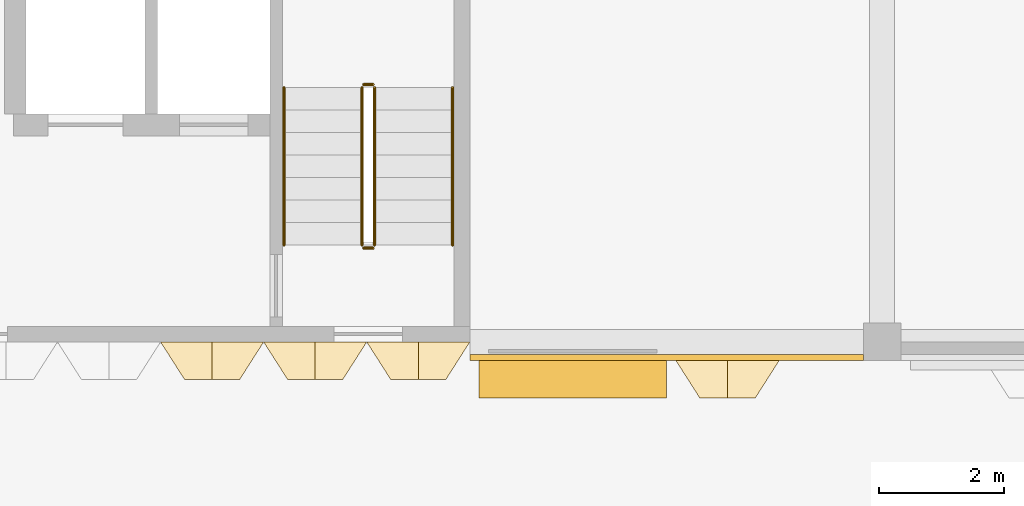
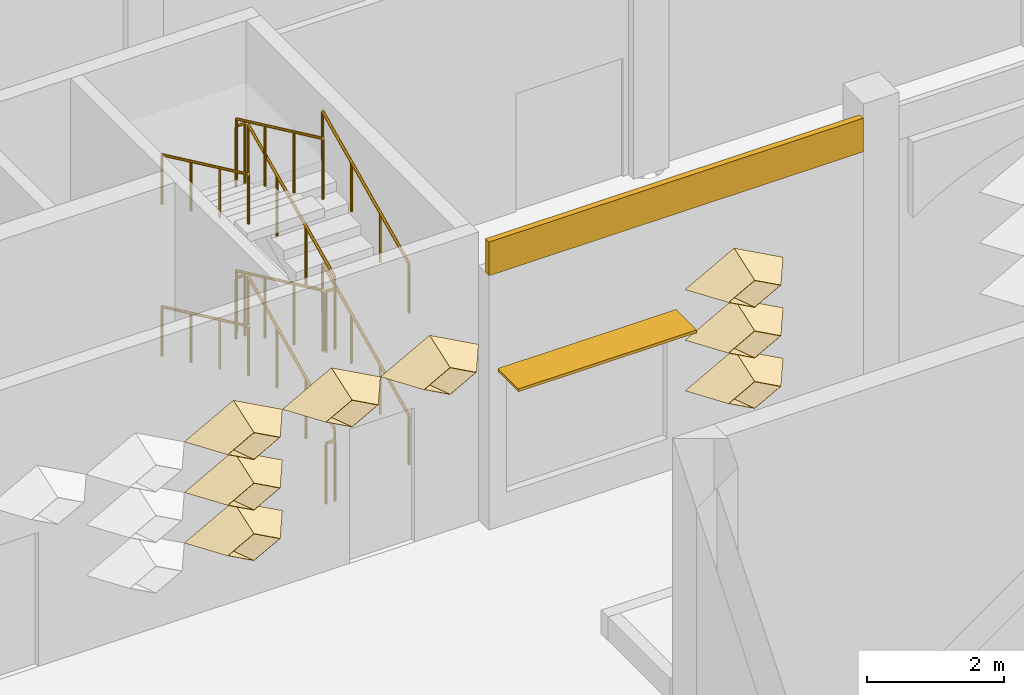
# One storey, part 72 of 85: 12 railings, 9 coverings, 1 shading device.
"""IFC4 building model written with IfcOpenShell, lengths in metres."""

from ifc_helpers import new_model, entity, si_unit, direction, frame, frame_2d, origin, origin_2d, place, context, subcontext, project, spatial, rectangle, circle, extrude, material, layer, layer_set, type_object, element, save


model = new_model("IFC4")

# Units and contexts
model_context = context("Model", 3, precision=1e-05, world=origin(), true_north=direction((0.0, 1.0)))
body_context = subcontext(model_context, "Body", "Model", "MODEL_VIEW")
ifc_project = project(units=[si_unit("LENGTHUNIT", "METRE"), si_unit("AREAUNIT", "SQUARE_METRE"), si_unit("VOLUMEUNIT", "CUBIC_METRE"), si_unit("PLANEANGLEUNIT", "RADIAN"), si_unit("MASSUNIT", "GRAM", prefix="KILO")], contexts=[model_context])

# Site, building, storey
site_placement = place(None, origin())
site = spatial("IfcSite", under=ifc_project, at=site_placement, CompositionType="ELEMENT")
building_placement = place(site_placement, origin())
building = spatial("IfcBuilding", under=site, at=building_placement, Name="Lantern Court Research Institute", CompositionType="ELEMENT")
storey_placement = place(building_placement, origin())
storey = spatial("IfcBuildingStorey", under=building, at=storey_placement, Name="L00", CompositionType="ELEMENT", Elevation=0.0)

# Shading device
ifc_material_1 = material(Name="Aluminium alloy 6063-T6", Category="aluminium")
ifc_layer_1 = layer(ifc_material_1, 0.050048828125)
ifc_layer_set_1 = layer_set([ifc_layer_1], Name="Aluminium alloy 6063-T6")
shading_device_type = type_object("IfcShadingDeviceType", Name="Brise-soleil blade 3000 x 600 x 50 aluminium", PredefinedType="USERDEFINED", material=ifc_layer_set_1)
shading_device_placement = place(storey_placement, frame((54.449951171875, 81.89990234375, 2.7998046875), z_axis=(0.0, 0.0, 1.0), x_axis=(-1.0, 0.0, 0.0)))
element("IfcShadingDevice", 1, at=shading_device_placement, inside=storey, type_object=shading_device_type, Name="Brise-soleil blade L00 S", ObjectType="LOUVRE", PredefinedType="USERDEFINED", context=body_context, shape_type="SweptSolid", body=[
    extrude(rectangle(XDim=3.0, YDim=0.60009765625, at=origin_2d()), origin(), (0.0, 0.0, 1.0), 0.050048828125),
])

# Coverings
ifc_material_2 = material(Name="Aluminium composite panel with mineral wool insulation", Category="aluminium")
ifc_layer_2 = layer(ifc_material_2, 0.10009765625)
ifc_layer_set_2 = layer_set([ifc_layer_2], Name="Aluminium composite panel with mineral wool insulation")
covering_type_1 = type_object("IfcCoveringType", Name="Edge fascia panel 100 aluminium faced", PredefinedType="CLADDING", material=ifc_layer_set_2)
covering_1_placement = place(storey_placement, frame((59.10009765625, 82.25, 4.550048828125), z_axis=(0.0, 0.0, 1.0), x_axis=(-1.0, 0.0, 0.0)))
element("IfcCovering", 2, at=covering_1_placement, inside=storey, type_object=covering_type_1, Name="Edge fascia V6S L00 07", PredefinedType="CLADDING", context=body_context, shape_type="SweptSolid", body=[
    extrude(rectangle(XDim=6.300048828125, YDim=0.10009765625, at=frame_2d((3.14990234375, 0.0))), origin(), (0.0, 0.0, 1.0), 0.599853515625),
])
ifc_material_3 = material(Name="Anodised aluminium", Category="aluminium")
ifc_layer_3 = layer(ifc_material_3, 0.01611328125)
ifc_layer_set_3 = layer_set([ifc_layer_3], Name="Anodised aluminium")
covering_type_2 = type_object("IfcCoveringType", Name="Fin cassette 1650 x 900 x 600 aluminium", PredefinedType="CLADDING", material=ifc_layer_set_3)
covering_2_placement = place(storey_placement, frame((48.675048828125, 82.5, 1.35009765625), z_axis=(0.0, -1.0, 0.0), x_axis=(1.0, 0.0, 0.0)))
cartesian_point_1 = entity("IfcCartesianPoint", [0.824951171875, 0.0])
cartesian_point_2 = entity("IfcCartesianPoint", [0.79150390625, 0.0])
cartesian_point_3 = entity("IfcCartesianPoint", [0.44189453125, 0.0])
cartesian_point_4 = entity("IfcCartesianPoint", [0.43359375, 0.0])
element("IfcCovering", 3, at=covering_2_placement, inside=storey, type_object=covering_type_2, Name="Fin cassette V6S-L00 2.30", PredefinedType="CLADDING", context=body_context, shape_type="SweptSolid", body=[
    entity("IfcExtrudedAreaSolidTapered", entity("IfcArbitraryProfileDefWithVoids", "AREA", None, entity("IfcPolyline", [cartesian_point_1, entity("IfcCartesianPoint", [0.0, 0.449951171875]), entity("IfcCartesianPoint", [-0.824951171875, 0.0]), entity("IfcCartesianPoint", [0.0, -0.449951171875]), cartesian_point_1]), [entity("IfcPolyline", [cartesian_point_2, entity("IfcCartesianPoint", [0.0, 0.431884765625]), entity("IfcCartesianPoint", [-0.79150390625, 0.0]), entity("IfcCartesianPoint", [0.0, -0.431884765625]), cartesian_point_2])]), entity("IfcAxis2Placement3D", entity("IfcCartesianPoint", [0.0, 0.0, 0.0])), entity("IfcDirection", [0.0, 0.0, 1.0]), 0.60009765625, entity("IfcArbitraryProfileDefWithVoids", "AREA", None, entity("IfcPolyline", [cartesian_point_3, entity("IfcCartesianPoint", [0.0, 0.240966796875]), entity("IfcCartesianPoint", [-0.44189453125, 0.0]), entity("IfcCartesianPoint", [0.0, -0.240966796875]), cartesian_point_3]), [entity("IfcPolyline", [cartesian_point_4, entity("IfcCartesianPoint", [0.0, 0.236572265625]), entity("IfcCartesianPoint", [-0.43359375, 0.0]), entity("IfcCartesianPoint", [0.0, -0.236572265625]), cartesian_point_4])])),
])
covering_3_placement = place(storey_placement, frame((48.675048828125, 82.5, 2.25), z_axis=(0.0, -1.0, 0.0), x_axis=(1.0, 0.0, 0.0)))
cartesian_point_5 = entity("IfcCartesianPoint", [0.824951171875, 0.0])
cartesian_point_6 = entity("IfcCartesianPoint", [0.79150390625, 0.0])
cartesian_point_7 = entity("IfcCartesianPoint", [0.44189453125, 0.0])
cartesian_point_8 = entity("IfcCartesianPoint", [0.43359375, 0.0])
element("IfcCovering", 4, at=covering_3_placement, inside=storey, type_object=covering_type_2, Name="Fin cassette V6S-L00 3.30", PredefinedType="CLADDING", context=body_context, shape_type="SweptSolid", body=[
    entity("IfcExtrudedAreaSolidTapered", entity("IfcArbitraryProfileDefWithVoids", "AREA", None, entity("IfcPolyline", [cartesian_point_5, entity("IfcCartesianPoint", [0.0, 0.449951171875]), entity("IfcCartesianPoint", [-0.824951171875, 0.0]), entity("IfcCartesianPoint", [0.0, -0.449951171875]), cartesian_point_5]), [entity("IfcPolyline", [cartesian_point_6, entity("IfcCartesianPoint", [0.0, 0.431884765625]), entity("IfcCartesianPoint", [-0.79150390625, 0.0]), entity("IfcCartesianPoint", [0.0, -0.431884765625]), cartesian_point_6])]), entity("IfcAxis2Placement3D", entity("IfcCartesianPoint", [0.0, 0.0, 0.0])), entity("IfcDirection", [0.0, 0.0, 1.0]), 0.60009765625, entity("IfcArbitraryProfileDefWithVoids", "AREA", None, entity("IfcPolyline", [cartesian_point_7, entity("IfcCartesianPoint", [0.0, 0.240966796875]), entity("IfcCartesianPoint", [-0.44189453125, 0.0]), entity("IfcCartesianPoint", [0.0, -0.240966796875]), cartesian_point_7]), [entity("IfcPolyline", [cartesian_point_8, entity("IfcCartesianPoint", [0.0, 0.236572265625]), entity("IfcCartesianPoint", [-0.43359375, 0.0]), entity("IfcCartesianPoint", [0.0, -0.236572265625]), cartesian_point_8])])),
])
covering_4_placement = place(storey_placement, frame((48.675048828125, 82.5, 3.14990234375), z_axis=(0.0, -1.0, 0.0), x_axis=(1.0, 0.0, 0.0)))
cartesian_point_9 = entity("IfcCartesianPoint", [0.824951171875, 0.0])
cartesian_point_10 = entity("IfcCartesianPoint", [0.79150390625, 0.0])
cartesian_point_11 = entity("IfcCartesianPoint", [0.44189453125, 0.0])
cartesian_point_12 = entity("IfcCartesianPoint", [0.43359375, 0.0])
element("IfcCovering", 5, at=covering_4_placement, inside=storey, type_object=covering_type_2, Name="Fin cassette V6S-L00 4.30", PredefinedType="CLADDING", context=body_context, shape_type="SweptSolid", body=[
    entity("IfcExtrudedAreaSolidTapered", entity("IfcArbitraryProfileDefWithVoids", "AREA", None, entity("IfcPolyline", [cartesian_point_9, entity("IfcCartesianPoint", [0.0, 0.449951171875]), entity("IfcCartesianPoint", [-0.824951171875, 0.0]), entity("IfcCartesianPoint", [0.0, -0.449951171875]), cartesian_point_9]), [entity("IfcPolyline", [cartesian_point_10, entity("IfcCartesianPoint", [0.0, 0.431884765625]), entity("IfcCartesianPoint", [-0.79150390625, 0.0]), entity("IfcCartesianPoint", [0.0, -0.431884765625]), cartesian_point_10])]), entity("IfcAxis2Placement3D", entity("IfcCartesianPoint", [0.0, 0.0, 0.0])), entity("IfcDirection", [0.0, 0.0, 1.0]), 0.60009765625, entity("IfcArbitraryProfileDefWithVoids", "AREA", None, entity("IfcPolyline", [cartesian_point_11, entity("IfcCartesianPoint", [0.0, 0.240966796875]), entity("IfcCartesianPoint", [-0.44189453125, 0.0]), entity("IfcCartesianPoint", [0.0, -0.240966796875]), cartesian_point_11]), [entity("IfcPolyline", [cartesian_point_12, entity("IfcCartesianPoint", [0.0, 0.236572265625]), entity("IfcCartesianPoint", [-0.43359375, 0.0]), entity("IfcCartesianPoint", [0.0, -0.236572265625]), cartesian_point_12])])),
])
covering_5_placement = place(storey_placement, frame((50.324951171875, 82.5, 3.14990234375), z_axis=(0.0, -1.0, 0.0), x_axis=(1.0, 0.0, 0.0)))
cartesian_point_13 = entity("IfcCartesianPoint", [0.824951171875, 0.0])
cartesian_point_14 = entity("IfcCartesianPoint", [0.79150390625, 0.0])
cartesian_point_15 = entity("IfcCartesianPoint", [0.44189453125, 0.0])
cartesian_point_16 = entity("IfcCartesianPoint", [0.43359375, 0.0])
element("IfcCovering", 6, at=covering_5_placement, inside=storey, type_object=covering_type_2, Name="Fin cassette V6S-L00 4.31", PredefinedType="CLADDING", context=body_context, shape_type="SweptSolid", body=[
    entity("IfcExtrudedAreaSolidTapered", entity("IfcArbitraryProfileDefWithVoids", "AREA", None, entity("IfcPolyline", [cartesian_point_13, entity("IfcCartesianPoint", [0.0, 0.449951171875]), entity("IfcCartesianPoint", [-0.824951171875, 0.0]), entity("IfcCartesianPoint", [0.0, -0.449951171875]), cartesian_point_13]), [entity("IfcPolyline", [cartesian_point_14, entity("IfcCartesianPoint", [0.0, 0.431884765625]), entity("IfcCartesianPoint", [-0.79150390625, 0.0]), entity("IfcCartesianPoint", [0.0, -0.431884765625]), cartesian_point_14])]), entity("IfcAxis2Placement3D", entity("IfcCartesianPoint", [0.0, 0.0, 0.0])), entity("IfcDirection", [0.0, 0.0, 1.0]), 0.60009765625, entity("IfcArbitraryProfileDefWithVoids", "AREA", None, entity("IfcPolyline", [cartesian_point_15, entity("IfcCartesianPoint", [0.0, 0.240966796875]), entity("IfcCartesianPoint", [-0.44189453125, 0.0]), entity("IfcCartesianPoint", [0.0, -0.240966796875]), cartesian_point_15]), [entity("IfcPolyline", [cartesian_point_16, entity("IfcCartesianPoint", [0.0, 0.236572265625]), entity("IfcCartesianPoint", [-0.43359375, 0.0]), entity("IfcCartesianPoint", [0.0, -0.236572265625]), cartesian_point_16])])),
])
covering_6_placement = place(storey_placement, frame((51.97509765625, 82.5, 3.14990234375), z_axis=(0.0, -1.0, 0.0), x_axis=(1.0, 0.0, 0.0)))
cartesian_point_17 = entity("IfcCartesianPoint", [0.824951171875, 0.0])
cartesian_point_18 = entity("IfcCartesianPoint", [0.79150390625, 0.0])
cartesian_point_19 = entity("IfcCartesianPoint", [0.44189453125, 0.0])
cartesian_point_20 = entity("IfcCartesianPoint", [0.43359375, 0.0])
element("IfcCovering", 7, at=covering_6_placement, inside=storey, type_object=covering_type_2, Name="Fin cassette V6S-L00 4.32", PredefinedType="CLADDING", context=body_context, shape_type="SweptSolid", body=[
    entity("IfcExtrudedAreaSolidTapered", entity("IfcArbitraryProfileDefWithVoids", "AREA", None, entity("IfcPolyline", [cartesian_point_17, entity("IfcCartesianPoint", [0.0, 0.449951171875]), entity("IfcCartesianPoint", [-0.824951171875, 0.0]), entity("IfcCartesianPoint", [0.0, -0.449951171875]), cartesian_point_17]), [entity("IfcPolyline", [cartesian_point_18, entity("IfcCartesianPoint", [0.0, 0.431884765625]), entity("IfcCartesianPoint", [-0.79150390625, 0.0]), entity("IfcCartesianPoint", [0.0, -0.431884765625]), cartesian_point_18])]), entity("IfcAxis2Placement3D", entity("IfcCartesianPoint", [0.0, 0.0, 0.0])), entity("IfcDirection", [0.0, 0.0, 1.0]), 0.60009765625, entity("IfcArbitraryProfileDefWithVoids", "AREA", None, entity("IfcPolyline", [cartesian_point_19, entity("IfcCartesianPoint", [0.0, 0.240966796875]), entity("IfcCartesianPoint", [-0.44189453125, 0.0]), entity("IfcCartesianPoint", [0.0, -0.240966796875]), cartesian_point_19]), [entity("IfcPolyline", [cartesian_point_20, entity("IfcCartesianPoint", [0.0, 0.236572265625]), entity("IfcCartesianPoint", [-0.43359375, 0.0]), entity("IfcCartesianPoint", [0.0, -0.236572265625]), cartesian_point_20])])),
])
covering_7_placement = place(storey_placement, frame((56.925048828125, 82.199951171875, 1.35009765625), z_axis=(0.0, -1.0, 0.0), x_axis=(1.0, 0.0, 0.0)))
cartesian_point_21 = entity("IfcCartesianPoint", [0.824951171875, 0.0])
cartesian_point_22 = entity("IfcCartesianPoint", [0.79150390625, 0.0])
cartesian_point_23 = entity("IfcCartesianPoint", [0.44189453125, 0.0])
cartesian_point_24 = entity("IfcCartesianPoint", [0.43359375, 0.0])
element("IfcCovering", 8, at=covering_7_placement, inside=storey, type_object=covering_type_2, Name="Fin cassette V6S-L00 2.35", PredefinedType="CLADDING", context=body_context, shape_type="SweptSolid", body=[
    entity("IfcExtrudedAreaSolidTapered", entity("IfcArbitraryProfileDefWithVoids", "AREA", None, entity("IfcPolyline", [cartesian_point_21, entity("IfcCartesianPoint", [0.0, 0.449951171875]), entity("IfcCartesianPoint", [-0.824951171875, 0.0]), entity("IfcCartesianPoint", [0.0, -0.449951171875]), cartesian_point_21]), [entity("IfcPolyline", [cartesian_point_22, entity("IfcCartesianPoint", [0.0, 0.431884765625]), entity("IfcCartesianPoint", [-0.79150390625, 0.0]), entity("IfcCartesianPoint", [0.0, -0.431884765625]), cartesian_point_22])]), entity("IfcAxis2Placement3D", entity("IfcCartesianPoint", [0.0, 0.0, 0.0])), entity("IfcDirection", [0.0, 0.0, 1.0]), 0.60009765625, entity("IfcArbitraryProfileDefWithVoids", "AREA", None, entity("IfcPolyline", [cartesian_point_23, entity("IfcCartesianPoint", [0.0, 0.240966796875]), entity("IfcCartesianPoint", [-0.44189453125, 0.0]), entity("IfcCartesianPoint", [0.0, -0.240966796875]), cartesian_point_23]), [entity("IfcPolyline", [cartesian_point_24, entity("IfcCartesianPoint", [0.0, 0.236572265625]), entity("IfcCartesianPoint", [-0.43359375, 0.0]), entity("IfcCartesianPoint", [0.0, -0.236572265625]), cartesian_point_24])])),
])
covering_8_placement = place(storey_placement, frame((56.925048828125, 82.199951171875, 2.25), z_axis=(0.0, -1.0, 0.0), x_axis=(1.0, 0.0, 0.0)))
cartesian_point_25 = entity("IfcCartesianPoint", [0.824951171875, 0.0])
cartesian_point_26 = entity("IfcCartesianPoint", [0.79150390625, 0.0])
cartesian_point_27 = entity("IfcCartesianPoint", [0.44189453125, 0.0])
cartesian_point_28 = entity("IfcCartesianPoint", [0.43359375, 0.0])
element("IfcCovering", 9, at=covering_8_placement, inside=storey, type_object=covering_type_2, Name="Fin cassette V6S-L00 3.35", PredefinedType="CLADDING", context=body_context, shape_type="SweptSolid", body=[
    entity("IfcExtrudedAreaSolidTapered", entity("IfcArbitraryProfileDefWithVoids", "AREA", None, entity("IfcPolyline", [cartesian_point_25, entity("IfcCartesianPoint", [0.0, 0.449951171875]), entity("IfcCartesianPoint", [-0.824951171875, 0.0]), entity("IfcCartesianPoint", [0.0, -0.449951171875]), cartesian_point_25]), [entity("IfcPolyline", [cartesian_point_26, entity("IfcCartesianPoint", [0.0, 0.431884765625]), entity("IfcCartesianPoint", [-0.79150390625, 0.0]), entity("IfcCartesianPoint", [0.0, -0.431884765625]), cartesian_point_26])]), entity("IfcAxis2Placement3D", entity("IfcCartesianPoint", [0.0, 0.0, 0.0])), entity("IfcDirection", [0.0, 0.0, 1.0]), 0.60009765625, entity("IfcArbitraryProfileDefWithVoids", "AREA", None, entity("IfcPolyline", [cartesian_point_27, entity("IfcCartesianPoint", [0.0, 0.240966796875]), entity("IfcCartesianPoint", [-0.44189453125, 0.0]), entity("IfcCartesianPoint", [0.0, -0.240966796875]), cartesian_point_27]), [entity("IfcPolyline", [cartesian_point_28, entity("IfcCartesianPoint", [0.0, 0.236572265625]), entity("IfcCartesianPoint", [-0.43359375, 0.0]), entity("IfcCartesianPoint", [0.0, -0.236572265625]), cartesian_point_28])])),
])
covering_9_placement = place(storey_placement, frame((56.925048828125, 82.199951171875, 3.14990234375), z_axis=(0.0, -1.0, 0.0), x_axis=(1.0, 0.0, 0.0)))
cartesian_point_29 = entity("IfcCartesianPoint", [0.824951171875, 0.0])
cartesian_point_30 = entity("IfcCartesianPoint", [0.79150390625, 0.0])
cartesian_point_31 = entity("IfcCartesianPoint", [0.44189453125, 0.0])
cartesian_point_32 = entity("IfcCartesianPoint", [0.43359375, 0.0])
element("IfcCovering", 10, at=covering_9_placement, inside=storey, type_object=covering_type_2, Name="Fin cassette V6S-L00 4.35", PredefinedType="CLADDING", context=body_context, shape_type="SweptSolid", body=[
    entity("IfcExtrudedAreaSolidTapered", entity("IfcArbitraryProfileDefWithVoids", "AREA", None, entity("IfcPolyline", [cartesian_point_29, entity("IfcCartesianPoint", [0.0, 0.449951171875]), entity("IfcCartesianPoint", [-0.824951171875, 0.0]), entity("IfcCartesianPoint", [0.0, -0.449951171875]), cartesian_point_29]), [entity("IfcPolyline", [cartesian_point_30, entity("IfcCartesianPoint", [0.0, 0.431884765625]), entity("IfcCartesianPoint", [-0.79150390625, 0.0]), entity("IfcCartesianPoint", [0.0, -0.431884765625]), cartesian_point_30])]), entity("IfcAxis2Placement3D", entity("IfcCartesianPoint", [0.0, 0.0, 0.0])), entity("IfcDirection", [0.0, 0.0, 1.0]), 0.60009765625, entity("IfcArbitraryProfileDefWithVoids", "AREA", None, entity("IfcPolyline", [cartesian_point_31, entity("IfcCartesianPoint", [0.0, 0.240966796875]), entity("IfcCartesianPoint", [-0.44189453125, 0.0]), entity("IfcCartesianPoint", [0.0, -0.240966796875]), cartesian_point_31]), [entity("IfcPolyline", [cartesian_point_32, entity("IfcCartesianPoint", [0.0, 0.236572265625]), entity("IfcCartesianPoint", [-0.43359375, 0.0]), entity("IfcCartesianPoint", [0.0, -0.236572265625]), cartesian_point_32])])),
])

# Railings
ifc_material_4 = material(Name="Structural steel S355", Category="steel")
railing_type_1 = type_object("IfcRailingType", Name="Stair guard 1100 steel", PredefinedType="GUARDRAIL", material=ifc_material_4)
railing_1_placement = place(storey_placement, frame((51.27490234375, 84.050048828125, 0.168701171875)))
element("IfcRailing", 11, at=railing_1_placement, inside=storey, type_object=railing_type_1, Name="L00 ST-W2 stair guard 1", PredefinedType="GUARDRAIL", context=body_context, shape_type="SweptSolid", body=[
    extrude(circle(Radius=0.02392578125, at=origin_2d()), frame((0.0, 0.0, 1.076171875), z_axis=(0.0, 0.905439972488, 0.424474329284), x_axis=(-1.0, 0.0, 0.0)), (0.0, 0.0, 1.0), 2.783203125),
    extrude(circle(Radius=0.02099609375, at=origin_2d()), origin(), (0.0, 0.0, 1.0), 1.052001953125),
    extrude(circle(Radius=0.02099609375, at=origin_2d()), frame((0.0, 0.840087890625, 0.393798828125)), (0.0, 0.0, 1.0), 1.052001953125),
    extrude(circle(Radius=0.02099609375, at=origin_2d()), frame((0.0, 1.679931640625, 0.78759765625)), (0.0, 0.0, 1.0), 1.052001953125),
    extrude(circle(Radius=0.02099609375, at=origin_2d()), frame((0.0, 2.52001953125, 1.181396484375)), (0.0, 0.0, 1.0), 1.052001953125),
])
railing_2_placement = place(storey_placement, frame((51.25, 86.6201171875, 1.35009765625)))
element("IfcRailing", 12, at=railing_2_placement, inside=storey, type_object=railing_type_1, Name="L00 ST-W2 stair guard 2", PredefinedType="GUARDRAIL", context=body_context, shape_type="SweptSolid", body=[
    extrude(circle(Radius=0.02392578125, at=origin_2d()), frame((0.0, 0.0, 1.076171875), z_axis=(-1.0, 0.0, 0.0), x_axis=(0.0, -1.0, 0.0)), (0.0, 0.0, 1.0), 0.14990234375),
    extrude(circle(Radius=0.02099609375, at=origin_2d()), origin(), (0.0, 0.0, 1.0), 1.052001953125),
    extrude(circle(Radius=0.02099609375, at=origin_2d()), frame((-0.14990234375, 0.0, 0.0)), (0.0, 0.0, 1.0), 1.052001953125),
])
railing_3_placement = place(storey_placement, frame((51.074951171875, 86.570068359375, 1.518798828125)))
element("IfcRailing", 13, at=railing_3_placement, inside=storey, type_object=railing_type_1, Name="L00 ST-W2 stair guard 3", PredefinedType="GUARDRAIL", context=body_context, shape_type="SweptSolid", body=[
    extrude(circle(Radius=0.02392578125, at=origin_2d()), frame((0.0, 0.0, 1.076171875), z_axis=(0.0, -0.905473684625, 0.424402410988), x_axis=(1.0, 0.0, 0.0)), (0.0, 0.0, 1.0), 2.783203125),
    extrude(circle(Radius=0.02099609375, at=origin_2d()), origin(), (0.0, 0.0, 1.0), 1.052001953125),
    extrude(circle(Radius=0.02099609375, at=origin_2d()), frame((0.0, -0.840087890625, 0.393798828125)), (0.0, 0.0, 1.0), 1.052001953125),
    extrude(circle(Radius=0.02099609375, at=origin_2d()), frame((0.0, -1.679931640625, 0.787353515625)), (0.0, 0.0, 1.0), 1.052001953125),
    extrude(circle(Radius=0.02099609375, at=origin_2d()), frame((0.0, -2.52001953125, 1.18115234375)), (0.0, 0.0, 1.0), 1.052001953125),
])
railing_4_placement = place(storey_placement, frame((51.25, 84.0, 2.699951171875)))
element("IfcRailing", 14, at=railing_4_placement, inside=storey, type_object=railing_type_1, Name="L00 ST-W2 stair guard 4", PredefinedType="GUARDRAIL", context=body_context, shape_type="SweptSolid", body=[
    extrude(circle(Radius=0.02392578125, at=origin_2d()), frame((0.0, 0.0, 1.076171875), z_axis=(-1.0, 0.0, 0.0), x_axis=(0.0, -1.0, 0.0)), (0.0, 0.0, 1.0), 0.14990234375),
    extrude(circle(Radius=0.02099609375, at=origin_2d()), origin(), (0.0, 0.0, 1.0), 1.052001953125),
    extrude(circle(Radius=0.02099609375, at=origin_2d()), frame((-0.14990234375, 0.0, 0.0)), (0.0, 0.0, 1.0), 1.052001953125),
])
railing_5_placement = place(storey_placement, frame((51.27490234375, 84.050048828125, 2.86865234375)))
element("IfcRailing", 15, at=railing_5_placement, inside=storey, type_object=railing_type_1, Name="L00 ST-W2 stair guard 5", PredefinedType="GUARDRAIL", context=body_context, shape_type="SweptSolid", body=[
    extrude(circle(Radius=0.02392578125, at=origin_2d()), frame((0.0, 0.0, 1.076171875), z_axis=(0.0, 0.905439972488, 0.424474329284), x_axis=(-1.0, 0.0, 0.0)), (0.0, 0.0, 1.0), 2.783203125),
    extrude(circle(Radius=0.02099609375, at=origin_2d()), origin(), (0.0, 0.0, 1.0), 1.052001953125),
    extrude(circle(Radius=0.02099609375, at=origin_2d()), frame((0.0, 0.840087890625, 0.393798828125)), (0.0, 0.0, 1.0), 1.052001953125),
    extrude(circle(Radius=0.02099609375, at=origin_2d()), frame((0.0, 1.679931640625, 0.78759765625)), (0.0, 0.0, 1.0), 1.052001953125),
    extrude(circle(Radius=0.02099609375, at=origin_2d()), frame((0.0, 2.52001953125, 1.181396484375)), (0.0, 0.0, 1.0), 1.052001953125),
])
railing_6_placement = place(storey_placement, frame((51.25, 86.6201171875, 4.050048828125)))
element("IfcRailing", 16, at=railing_6_placement, inside=storey, type_object=railing_type_1, Name="L00 ST-W2 stair guard 6", PredefinedType="GUARDRAIL", context=body_context, shape_type="SweptSolid", body=[
    extrude(circle(Radius=0.02392578125, at=origin_2d()), frame((0.0, 0.0, 1.076171875), z_axis=(-1.0, 0.0, 0.0), x_axis=(0.0, -1.0, 0.0)), (0.0, 0.0, 1.0), 0.14990234375),
    extrude(circle(Radius=0.02099609375, at=origin_2d()), origin(), (0.0, 0.0, 1.0), 1.052001953125),
    extrude(circle(Radius=0.02099609375, at=origin_2d()), frame((-0.14990234375, 0.0, 0.0)), (0.0, 0.0, 1.0), 1.052001953125),
])
railing_7_placement = place(storey_placement, frame((51.074951171875, 86.570068359375, 4.21875)))
element("IfcRailing", 17, at=railing_7_placement, inside=storey, type_object=railing_type_1, Name="L00 ST-W2 stair guard 7", PredefinedType="GUARDRAIL", context=body_context, shape_type="SweptSolid", body=[
    extrude(circle(Radius=0.02392578125, at=origin_2d()), frame((0.0, 0.0, 1.076171875), z_axis=(0.0, -0.905473684625, 0.424402410988), x_axis=(1.0, 0.0, 0.0)), (0.0, 0.0, 1.0), 2.783203125),
    extrude(circle(Radius=0.02099609375, at=origin_2d()), origin(), (0.0, 0.0, 1.0), 1.052001953125),
    extrude(circle(Radius=0.02099609375, at=origin_2d()), frame((0.0, -0.840087890625, 0.393798828125)), (0.0, 0.0, 1.0), 1.052001953125),
    extrude(circle(Radius=0.02099609375, at=origin_2d()), frame((0.0, -1.679931640625, 0.787353515625)), (0.0, 0.0, 1.0), 1.052001953125),
    extrude(circle(Radius=0.02099609375, at=origin_2d()), frame((0.0, -2.52001953125, 1.18115234375)), (0.0, 0.0, 1.0), 1.052001953125),
])
railing_8_placement = place(storey_placement, frame((51.25, 84.0, 0.0)))
element("IfcRailing", 18, at=railing_8_placement, inside=storey, type_object=railing_type_1, Name="L00 ST-W2 stair guard 8", PredefinedType="GUARDRAIL", context=body_context, shape_type="SweptSolid", body=[
    extrude(circle(Radius=0.02392578125, at=origin_2d()), frame((0.0, 0.0, 1.076171875), z_axis=(-1.0, 0.0, 0.0), x_axis=(0.0, -1.0, 0.0)), (0.0, 0.0, 1.0), 0.14990234375),
    extrude(circle(Radius=0.02099609375, at=origin_2d()), origin(), (0.0, 0.0, 1.0), 1.052001953125),
    extrude(circle(Radius=0.02099609375, at=origin_2d()), frame((-0.14990234375, 0.0, 0.0)), (0.0, 0.0, 1.0), 1.052001953125),
])
ifc_material_5 = material(Name="Stainless steel 316", Category="steel")
railing_type_2 = type_object("IfcRailingType", Name="Stair handrail 900 steel", PredefinedType="HANDRAIL", material=ifc_material_5)
railing_9_placement = place(storey_placement, frame((52.52490234375, 84.050048828125, 0.168701171875)))
element("IfcRailing", 19, at=railing_9_placement, inside=storey, type_object=railing_type_2, Name="L00 ST-W2 stair handrail 1", PredefinedType="HANDRAIL", context=body_context, shape_type="SweptSolid", body=[
    extrude(circle(Radius=0.02392578125, at=origin_2d()), frame((0.0, 0.0, 0.8759765625), z_axis=(0.0, 0.905439972488, 0.424474329284), x_axis=(-1.0, 0.0, 0.0)), (0.0, 0.0, 1.0), 2.783203125),
    extrude(circle(Radius=0.02099609375, at=origin_2d()), origin(), (0.0, 0.0, 1.0), 0.851806640625),
    extrude(circle(Radius=0.02099609375, at=origin_2d()), frame((0.0, 0.840087890625, 0.393798828125)), (0.0, 0.0, 1.0), 0.851806640625),
    extrude(circle(Radius=0.02099609375, at=origin_2d()), frame((0.0, 1.679931640625, 0.78759765625)), (0.0, 0.0, 1.0), 0.851806640625),
    extrude(circle(Radius=0.02099609375, at=origin_2d()), frame((0.0, 2.52001953125, 1.181396484375)), (0.0, 0.0, 1.0), 0.851806640625),
])
railing_10_placement = place(storey_placement, frame((49.824951171875, 86.570068359375, 1.518798828125)))
element("IfcRailing", 20, at=railing_10_placement, inside=storey, type_object=railing_type_2, Name="L00 ST-W2 stair handrail 2", PredefinedType="HANDRAIL", context=body_context, shape_type="SweptSolid", body=[
    extrude(circle(Radius=0.02392578125, at=origin_2d()), frame((0.0, 0.0, 0.8759765625), z_axis=(0.0, -0.905473684625, 0.424402410988), x_axis=(1.0, 0.0, 0.0)), (0.0, 0.0, 1.0), 2.783203125),
    extrude(circle(Radius=0.02099609375, at=origin_2d()), origin(), (0.0, 0.0, 1.0), 0.851806640625),
    extrude(circle(Radius=0.02099609375, at=origin_2d()), frame((0.0, -0.840087890625, 0.393798828125)), (0.0, 0.0, 1.0), 0.851806640625),
    extrude(circle(Radius=0.02099609375, at=origin_2d()), frame((0.0, -1.679931640625, 0.787353515625)), (0.0, 0.0, 1.0), 0.851806640625),
    extrude(circle(Radius=0.02099609375, at=origin_2d()), frame((0.0, -2.52001953125, 1.18115234375)), (0.0, 0.0, 1.0), 0.851806640625),
])
railing_11_placement = place(storey_placement, frame((52.52490234375, 84.050048828125, 2.86865234375)))
element("IfcRailing", 21, at=railing_11_placement, inside=storey, type_object=railing_type_2, Name="L00 ST-W2 stair handrail 3", PredefinedType="HANDRAIL", context=body_context, shape_type="SweptSolid", body=[
    extrude(circle(Radius=0.02392578125, at=origin_2d()), frame((0.0, 0.0, 0.8759765625), z_axis=(0.0, 0.905439972488, 0.424474329284), x_axis=(-1.0, 0.0, 0.0)), (0.0, 0.0, 1.0), 2.783203125),
    extrude(circle(Radius=0.02099609375, at=origin_2d()), origin(), (0.0, 0.0, 1.0), 0.851806640625),
    extrude(circle(Radius=0.02099609375, at=origin_2d()), frame((0.0, 0.840087890625, 0.393798828125)), (0.0, 0.0, 1.0), 0.851806640625),
    extrude(circle(Radius=0.02099609375, at=origin_2d()), frame((0.0, 1.679931640625, 0.78759765625)), (0.0, 0.0, 1.0), 0.851806640625),
    extrude(circle(Radius=0.02099609375, at=origin_2d()), frame((0.0, 2.52001953125, 1.181396484375)), (0.0, 0.0, 1.0), 0.851806640625),
])
railing_12_placement = place(storey_placement, frame((49.824951171875, 86.570068359375, 4.21875)))
element("IfcRailing", 22, at=railing_12_placement, inside=storey, type_object=railing_type_2, Name="L00 ST-W2 stair handrail 4", PredefinedType="HANDRAIL", context=body_context, shape_type="SweptSolid", body=[
    extrude(circle(Radius=0.02392578125, at=origin_2d()), frame((0.0, 0.0, 0.8759765625), z_axis=(0.0, -0.905473684625, 0.424402410988), x_axis=(1.0, 0.0, 0.0)), (0.0, 0.0, 1.0), 2.783203125),
    extrude(circle(Radius=0.02099609375, at=origin_2d()), origin(), (0.0, 0.0, 1.0), 0.851806640625),
    extrude(circle(Radius=0.02099609375, at=origin_2d()), frame((0.0, -0.840087890625, 0.393798828125)), (0.0, 0.0, 1.0), 0.851806640625),
    extrude(circle(Radius=0.02099609375, at=origin_2d()), frame((0.0, -1.679931640625, 0.787353515625)), (0.0, 0.0, 1.0), 0.851806640625),
    extrude(circle(Radius=0.02099609375, at=origin_2d()), frame((0.0, -2.52001953125, 1.18115234375)), (0.0, 0.0, 1.0), 0.851806640625),
])

save(model, "model.ifc")
